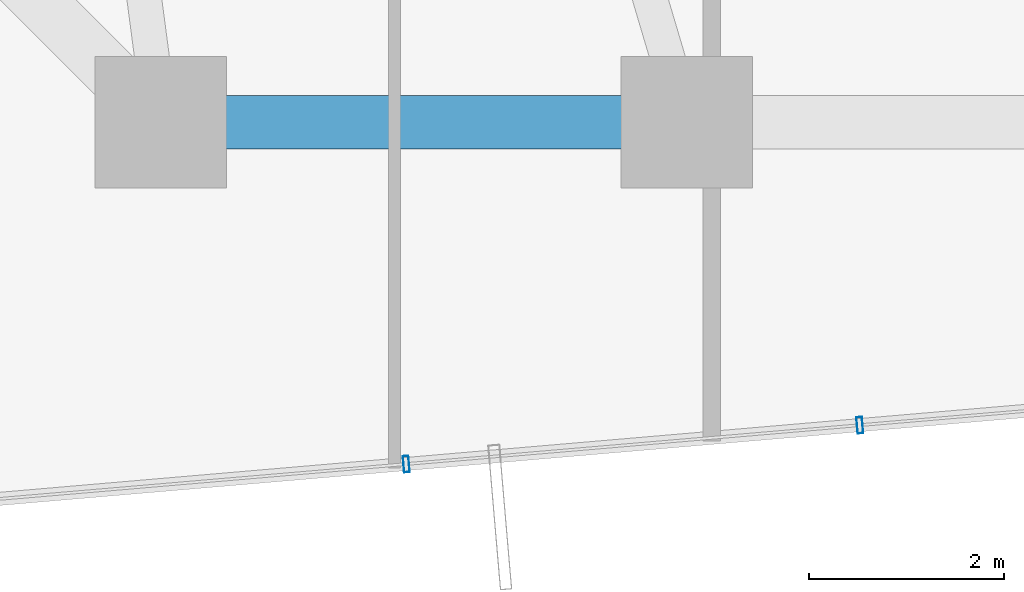
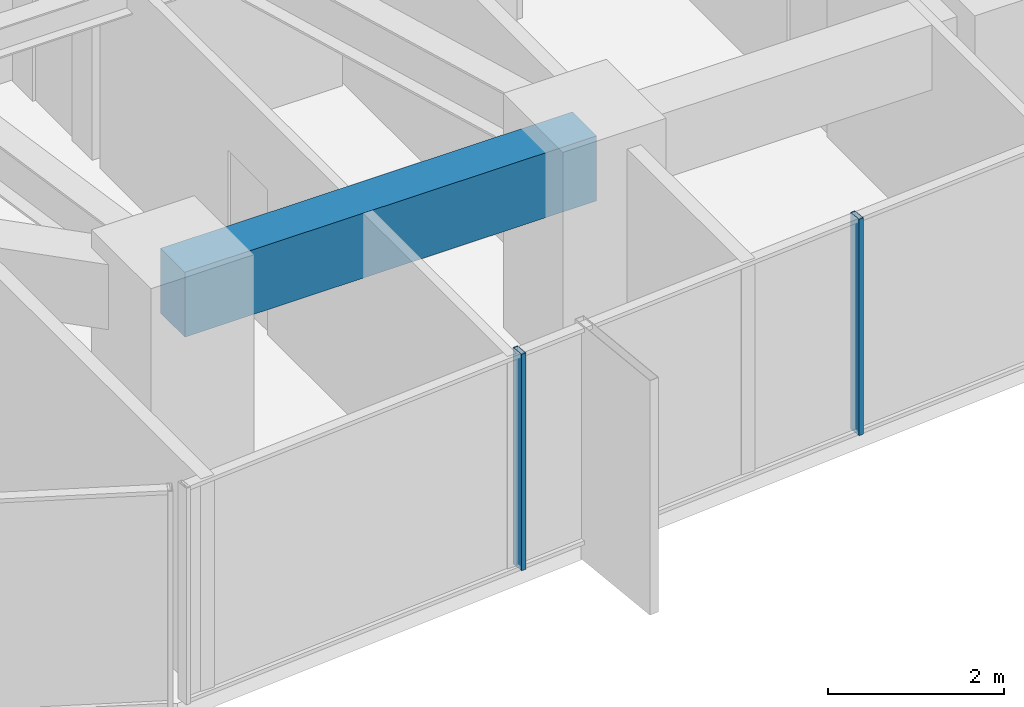
# One storey, part 6 of 37: 2 members, 1 beam, 1 element without a shape of its own.
"""IFC4 building model written with IfcOpenShell, lengths in metres."""

import ifcopenshell
import ifcopenshell.guid

model = None  # the IFC model being written
_history = None  # IfcOwnerHistory: only IFC2X3 demands one
_inside = {}  # id of a spatial element -> (the spatial element, [elements in it])
_under = {}  # id of a project, library or spatial element -> (it, [spatial elements below it])
_declared = {}  # id of a project -> (the project, [libraries it declares])
_typed = {}  # id of a type object -> (the type object, [elements of that type])
_made_of = {}  # id of a material, layer set ... -> (it, [elements and type objects made of it])


def new_model(schema):
    """Start an empty IFC model of exactly this schema.

    Asked for "IFC4X3", IfcOpenShell would pick the latest addendum, in which some entities
    have other attributes; the version numbers below select the first issue.
    IFC2X3 requires an IfcOwnerHistory on every rooted entity: one is made here for all.
    """
    global model, _history
    if schema == "IFC4X3":
        model = ifcopenshell.file(schema_version=(4, 3, 0, 0))
    else:
        model = ifcopenshell.file(schema=schema)
    _inside.clear()
    _under.clear()
    _declared.clear()
    _typed.clear()
    _made_of.clear()
    _history = None
    if model.schema == "IFC2X3":
        org = make("IfcOrganization", Name="unknown")
        user = make(
            "IfcPersonAndOrganization",
            ThePerson=make("IfcPerson", FamilyName="unknown"),
            TheOrganization=org,
        )
        app = make(
            "IfcApplication",
            ApplicationDeveloper=org,
            Version="unknown",
            ApplicationFullName="unknown",
            ApplicationIdentifier="unknown",
        )
        _history = make(
            "IfcOwnerHistory",
            OwningUser=user,
            OwningApplication=app,
            ChangeAction="ADDED",
            CreationDate=0,
        )
    return model


def make(cls, **values):
    """One entity of the class cls with the attributes given. An attribute that is None is left unset."""
    return model.create_entity(
        cls, **{name: value for name, value in values.items() if value is not None}
    )


def rooted(cls, **values):
    """An entity with a GlobalId (a new one), such as an element, a storey or a relation."""
    return make(cls, GlobalId=ifcopenshell.guid.new(), OwnerHistory=_history, **values)


def si_unit(unit_type, name, prefix=None):
    """IfcSIUnit, for example si_unit("LENGTHUNIT", "METRE", prefix="MILLI")."""
    return make("IfcSIUnit", UnitType=unit_type, Prefix=prefix, Name=name)


def assignment(units):
    """IfcUnitAssignment: the units of a project."""
    return None if units is None else make("IfcUnitAssignment", Units=units)


def point(xyz):
    """IfcCartesianPoint."""
    return None if xyz is None else make("IfcCartesianPoint", Coordinates=xyz)


def direction(xyz):
    """IfcDirection."""
    return None if xyz is None else make("IfcDirection", DirectionRatios=xyz)


def frame(location, z_axis=None, x_axis=None):
    """IfcAxis2Placement3D, a coordinate frame: its origin and axes. An axis left out is left unset."""
    return make(
        "IfcAxis2Placement3D",
        Location=point(location),
        Axis=direction(z_axis),
        RefDirection=direction(x_axis),
    )


def frame_2d(location, x_axis=None):
    """IfcAxis2Placement2D, a coordinate frame in the plane: its origin and x axis."""
    return make(
        "IfcAxis2Placement2D", Location=point(location), RefDirection=direction(x_axis)
    )


def origin():
    """The frame at (0, 0, 0) with its axes left unset."""
    return frame((0.0, 0.0, 0.0))


def origin_2d():
    """The frame at (0, 0) in the plane with its x axis left unset."""
    return frame_2d((0.0, 0.0))


def place(relative_to, where):
    """IfcLocalPlacement: puts the frame where relative to a parent placement (None: the world)."""
    return make(
        "IfcLocalPlacement", PlacementRelTo=relative_to, RelativePlacement=where
    )


def context(
    kind, dimensions, precision=None, world=None, true_north=None, identifier=None
):
    """IfcGeometricRepresentationContext, for example the 3D "Model" context."""
    return make(
        "IfcGeometricRepresentationContext",
        ContextIdentifier=identifier,
        ContextType=kind,
        CoordinateSpaceDimension=dimensions,
        Precision=precision,
        WorldCoordinateSystem=world,
        TrueNorth=true_north,
    )


def subcontext(parent, identifier, kind, view, scale=None):
    """IfcGeometricRepresentationSubContext, for example "Body" below "Model"."""
    return make(
        "IfcGeometricRepresentationSubContext",
        ContextIdentifier=identifier,
        ContextType=kind,
        ParentContext=parent,
        TargetScale=scale,
        TargetView=view,
    )


def project(units=None, contexts=None):
    """IfcProject with its units and contexts."""
    return rooted(
        "IfcProject",
        Name="project",
        RepresentationContexts=contexts,
        UnitsInContext=assignment(units),
    )


def spatial(cls, under=None, at=None, **own):
    """A site, building, storey or space (cls), placed at a placement, below another one or the project."""
    s = rooted(cls, ObjectPlacement=at, **own)
    if under is not None:
        _under.setdefault(under.id(), (under, []))[1].append(s)
    return s


def profile(cls, at=None, kind="AREA", **sizes):
    """A parametric profile (cls). Its sizes go by their IFC names, for example OverallWidth=200.0."""
    return make(cls, ProfileType=kind, Position=at, **sizes)


def rectangle(**sizes):
    """IfcRectangleProfileDef."""
    return profile("IfcRectangleProfileDef", **sizes)


def hollow_rectangle(**sizes):
    """IfcRectangleHollowProfileDef."""
    return profile("IfcRectangleHollowProfileDef", **sizes)


def extrude(swept, where, along, depth):
    """IfcExtrudedAreaSolid: the profile swept, set in the frame where, extruded along a direction by depth."""
    return make(
        "IfcExtrudedAreaSolid",
        SweptArea=swept,
        Position=where,
        ExtrudedDirection=direction(along),
        Depth=depth,
    )


def shape(context_of_items, identifier, shape_type, items):
    """IfcShapeRepresentation: the items that make up one representation, for example the "Body"."""
    return make(
        "IfcShapeRepresentation",
        ContextOfItems=context_of_items,
        RepresentationIdentifier=identifier,
        RepresentationType=shape_type,
        Items=items,
    )


def source(mapping_origin, context_of_items, identifier, shape_type, items):
    """IfcRepresentationMap: a shape defined once, which mapped items show again and again."""
    return make(
        "IfcRepresentationMap",
        MappingOrigin=mapping_origin,
        MappedRepresentation=shape(context_of_items, identifier, shape_type, items),
    )


def transform(
    local_origin,
    x_axis=None,
    y_axis=None,
    z_axis=None,
    scale=None,
    scale2=None,
    scale3=None,
    uniform=True,
):
    """IfcCartesianTransformationOperator3D, or its non-uniform kind. x_axis, y_axis, z_axis: its Axis1, 2, 3."""
    if uniform:
        return make(
            "IfcCartesianTransformationOperator3D",
            Axis1=direction(x_axis),
            Axis2=direction(y_axis),
            LocalOrigin=point(local_origin),
            Scale=scale,
            Axis3=direction(z_axis),
        )
    return make(
        "IfcCartesianTransformationOperator3DnonUniform",
        Axis1=direction(x_axis),
        Axis2=direction(y_axis),
        LocalOrigin=point(local_origin),
        Scale=scale,
        Axis3=direction(z_axis),
        Scale2=scale2,
        Scale3=scale3,
    )


def mapped(mapping_source, mapping_target):
    """IfcMappedItem: shows the shape of a source again, moved by a transform."""
    return make(
        "IfcMappedItem", MappingSource=mapping_source, MappingTarget=mapping_target
    )


def material(Name=None, Category=None):
    """IfcMaterial."""
    return make("IfcMaterial", Name=Name, Category=Category)


def layer(
    of_material, thickness, ventilated=None, Name=None, Category=None, Priority=None
):
    """IfcMaterialLayer: one layer of a wall or slab, of a material (None: an air gap)."""
    return make(
        "IfcMaterialLayer",
        Material=of_material,
        LayerThickness=thickness,
        IsVentilated=ventilated,
        Name=Name,
        Category=Category,
        Priority=Priority,
    )


def layer_set(layers, Name=None):
    """IfcMaterialLayerSet."""
    return make("IfcMaterialLayerSet", MaterialLayers=layers, LayerSetName=Name)


def material_profile(
    of_material, cross_section, Name=None, Category=None, Priority=None
):
    """IfcMaterialProfile: a cross section and its material."""
    return make(
        "IfcMaterialProfile",
        Name=Name,
        Material=of_material,
        Profile=cross_section,
        Priority=Priority,
        Category=Category,
    )


def profile_set(profiles, Name=None, composite=None):
    """IfcMaterialProfileSet."""
    return make(
        "IfcMaterialProfileSet",
        Name=Name,
        MaterialProfiles=profiles,
        CompositeProfile=composite,
    )


def made_of(thing, what):
    """Note that an element or type object is made of a material, layer set ...; save() writes the relation."""
    if what is not None:
        _made_of.setdefault(what.id(), (what, []))[1].append(thing)
    return thing


def type_object(cls, material=None, **own):
    """A type object (cls), such as IfcWallType, which elements share."""
    return made_of(rooted(cls, **own), material)


def element(
    cls,
    number,
    at=None,
    inside=None,
    cuts=None,
    type_object=None,
    material=None,
    context=None,
    identifier="Body",
    shape_type=None,
    held_by="IfcProductDefinitionShape",
    body=None,
    shapes=None,
    **own,
):
    """One element of the class cls, such as IfcWall. Its Tag is "e" and its number.

    at: its placement. inside: the storey or other place that contains it. cuts: it is an
    opening in that element (IfcRelVoidsElement). A single representation is given by context,
    identifier, shape_type and body (its items); several are given by shapes. held_by: the class
    of the entity that holds the representations. save() writes the other relations.
    """
    e = rooted(cls, Tag="e%d" % number, ObjectPlacement=at, **own)
    if body is not None:
        shapes = [shape(context, identifier, shape_type, body)]
    if shapes is not None:
        e.Representation = make(held_by, Representations=shapes)
    if inside is not None:
        _inside.setdefault(inside.id(), (inside, []))[1].append(e)
    if cuts is not None:
        rooted(
            "IfcRelVoidsElement", RelatingBuildingElement=cuts, RelatedOpeningElement=e
        )
    if type_object is not None:
        _typed.setdefault(type_object.id(), (type_object, []))[1].append(e)
    return made_of(e, material)


def aggregate(whole, parts):
    """IfcRelAggregates: a whole, such as a stair, and the parts it consists of."""
    return rooted("IfcRelAggregates", RelatingObject=whole, RelatedObjects=parts)


def save(model, path):
    """Write the relations noted so far, then the file.

    IfcRelAggregates (storeys below a building ...), IfcRelContainedInSpatialStructure (elements
    in a storey), IfcRelDefinesByType, IfcRelAssociatesMaterial and IfcRelDeclares: one each for
    every whole, place, type object, material and project.
    """
    for whole, parts in _under.values():
        aggregate(whole, parts)
    for where, things in _inside.values():
        rooted(
            "IfcRelContainedInSpatialStructure",
            RelatedElements=things,
            RelatingStructure=where,
        )
    for kind, things in _typed.values():
        rooted("IfcRelDefinesByType", RelatedObjects=things, RelatingType=kind)
    for what, things in _made_of.values():
        rooted("IfcRelAssociatesMaterial", RelatedObjects=things, RelatingMaterial=what)
    for by, libraries in _declared.values():
        rooted("IfcRelDeclares", RelatingContext=by, RelatedDefinitions=libraries)
    model.write(path)


model = new_model("IFC4")

# Units and contexts
model_context = context("Model", 3, precision=1e-05, world=origin(), true_north=direction((0.0, 1.0)))
body_context = subcontext(model_context, "Body", "Model", "MODEL_VIEW")
ifc_project = project(units=[si_unit("LENGTHUNIT", "METRE"), si_unit("AREAUNIT", "SQUARE_METRE"), si_unit("VOLUMEUNIT", "CUBIC_METRE"), si_unit("PLANEANGLEUNIT", "RADIAN"), si_unit("MASSUNIT", "GRAM", prefix="KILO")], contexts=[model_context])

# Site, building, storey
site_placement = place(None, origin())
site = spatial("IfcSite", under=ifc_project, at=site_placement, CompositionType="ELEMENT")
building_placement = place(site_placement, origin())
building = spatial("IfcBuilding", under=site, at=building_placement, Name="Veraguas Prism Commons", CompositionType="ELEMENT")
storey_placement = place(building_placement, frame((0.0, 0.0, 40.300048828125)))
storey = spatial("IfcBuildingStorey", under=building, at=storey_placement, Name="L10", CompositionType="ELEMENT", Elevation=40.300048828125)

# Beam
ifc_material_1 = material(Name="Concrete C50/60", Category="concrete")
ifc_material_profile_1 = material_profile(ifc_material_1, rectangle(XDim=0.550048828125, YDim=0.89990234375, at=origin_2d()), Name="RC550X900")
ifc_profile_set_1 = profile_set([ifc_material_profile_1], Name="Concrete C50/60")
beam_type = type_object("IfcBeamType", Name="Perimeter Spandrel Lower RC 550x900", PredefinedType="SPANDREL", material=ifc_profile_set_1)
beam_placement = place(storey_placement, frame((18.60009765625, 6.39990234375, 2.550048828125), z_axis=(1.0, 0.0, 0.0), x_axis=(0.0, 1.0, 0.0)))
element("IfcBeam", 1, at=beam_placement, inside=storey, type_object=beam_type, Name="Perimeter Spandrel Beam L10-SP10", PredefinedType="SPANDREL", context=body_context, shape_type="SweptSolid", body=[
    extrude(rectangle(XDim=0.550048828125, YDim=0.89990234375, at=origin_2d()), origin(), (0.0, 0.0, 1.0), 5.39990234375),
])

# Curtain wall, members
ifc_material_2 = material(Name="Anodised aluminium EN AW-6063 T6", Category="aluminium")
ifc_layer = layer(ifc_material_2, 0.169921875, Name="Unitised Flush Curtain Wall Zone 1", Category="aluminium")
ifc_layer_set = layer_set([ifc_layer], Name="Anodised aluminium EN AW-6063 T6")
curtain_wall_type = type_object("IfcCurtainWallType", Name="Unitised Flush Curtain Wall Zone 1", PredefinedType="NOTDEFINED", material=ifc_layer_set)
curtain_wall_placement = place(storey_placement, origin())
curtain_wall = element("IfcCurtainWall", 2, at=curtain_wall_placement, inside=storey, type_object=curtain_wall_type, Name="Tower Facade Curtain Wall L10-F5", PredefinedType="NOTDEFINED")
ifc_material_profile_2 = material_profile(ifc_material_2, hollow_rectangle(XDim=0.06005859375, YDim=0.169921875, WallThickness=0.00390625, at=origin_2d()), Name="AL60X170X4")
ifc_profile_set_2 = profile_set([ifc_material_profile_2], Name="Anodised aluminium EN AW-6063 T6")
member_type = type_object("IfcMemberType", Name="Curtain Wall Mullion Lower AL 60x170x4", PredefinedType="MULLION", material=ifc_profile_set_2)
shared_shape = source(origin(), body_context, "Body", "SweptSolid", [
    extrude(hollow_rectangle(XDim=0.06005859375, YDim=0.169921875, WallThickness=0.00390625, at=origin_2d()), origin(), (0.0, 0.0, 1.0), 3.0),
])
member_1_placement = place(storey_placement, frame((21.12158203125, 2.892333984375, 0.0), z_axis=(0.0, 0.0, 1.0), x_axis=(0.996345296191, 0.085416923137, 0.0)))
member_1 = element("IfcMember", 3, at=member_1_placement, type_object=member_type, Name="CW-Z1 Mullion 2", PredefinedType="MULLION", context=body_context, shape_type="MappedRepresentation", body=[
    mapped(shared_shape, transform((0.0, 0.0, 0.0), scale=1.0)),
])
member_2_placement = place(storey_placement, frame((25.775390625, 3.291259765625, 0.0), z_axis=(0.0, 0.0, 1.0), x_axis=(0.996345296191, 0.085416923137, 0.0)))
member_2 = element("IfcMember", 4, at=member_2_placement, type_object=member_type, Name="CW-Z1 Mullion 3", PredefinedType="MULLION", context=body_context, shape_type="MappedRepresentation", body=[
    mapped(shared_shape, transform((0.0, 0.0, 0.0), scale=1.0)),
])
aggregate(curtain_wall, [member_1, member_2])

save(model, "model.ifc")
